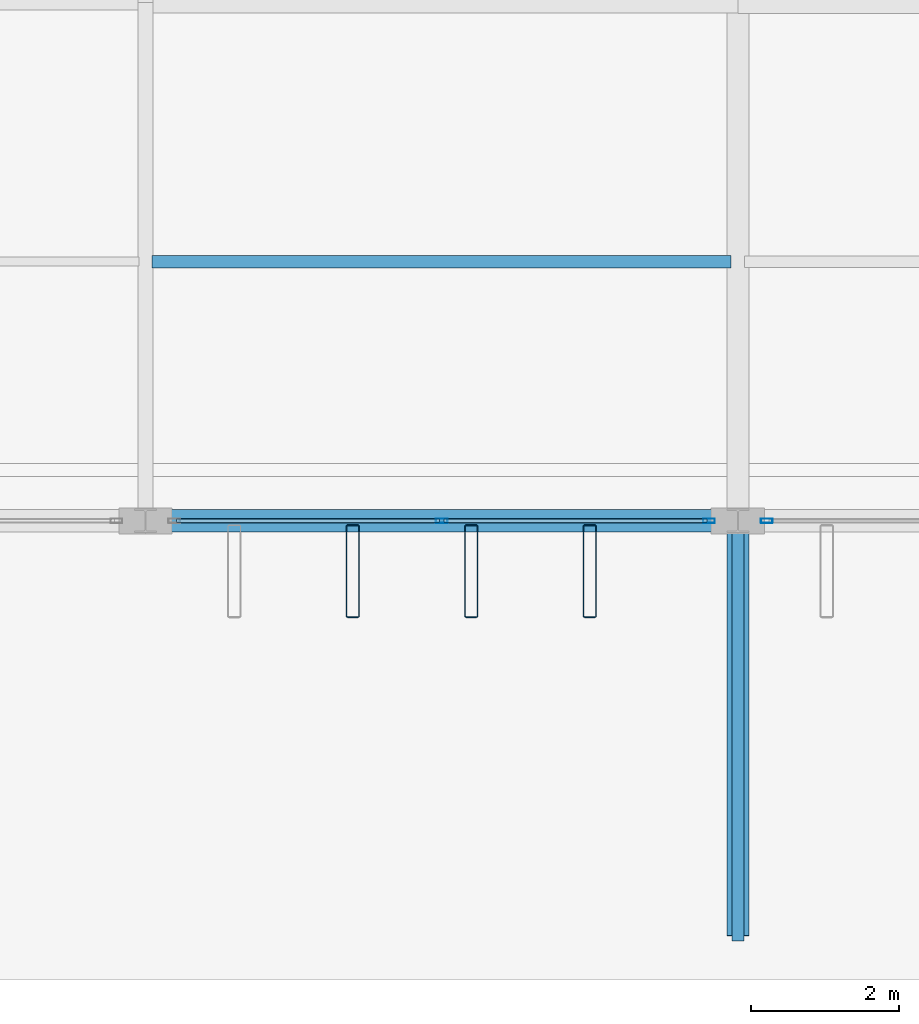
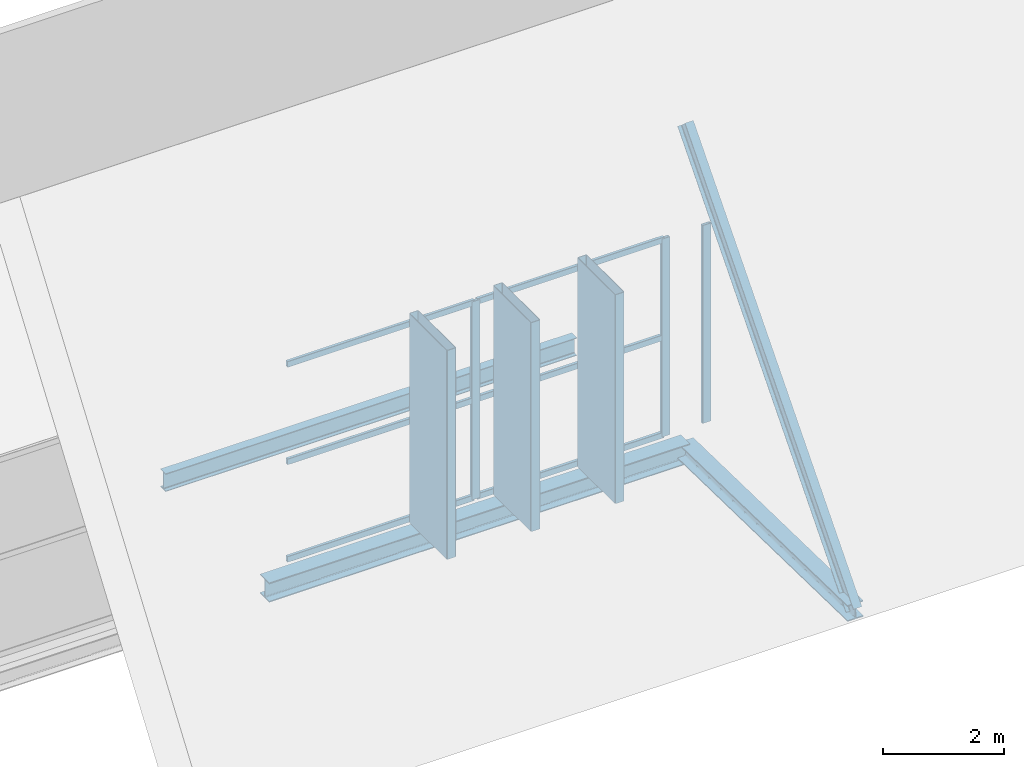
# One storey, part 33 of 93: 13 members, 3 beams, 2 elements without a shape of their own.
"""IFC4 building model written with IfcOpenShell, lengths in metres."""

from ifc_helpers import new_model, si_unit, direction, frame, origin, origin_2d, place, context, subcontext, project, spatial, hollow_rectangle, i_section, extrude, material, layer, layer_set, material_profile, profile_set, type_object, element, aggregate, save


model = new_model("IFC4")

# Units and contexts
model_context = context("Model", 3, precision=1e-05, world=origin(), true_north=direction((0.0, 1.0)))
body_context = subcontext(model_context, "Body", "Model", "MODEL_VIEW")
ifc_project = project(units=[si_unit("LENGTHUNIT", "METRE"), si_unit("AREAUNIT", "SQUARE_METRE"), si_unit("VOLUMEUNIT", "CUBIC_METRE"), si_unit("PLANEANGLEUNIT", "RADIAN"), si_unit("MASSUNIT", "GRAM", prefix="KILO")], contexts=[model_context])

# Site, building, storey
site_placement = place(None, origin())
site = spatial("IfcSite", under=ifc_project, at=site_placement, CompositionType="ELEMENT")
building_placement = place(site_placement, origin())
building = spatial("IfcBuilding", under=site, at=building_placement, Name="Vekula Escarpment Museum", CompositionType="ELEMENT")
storey_placement = place(building_placement, frame((0.0, 0.0, 22.199951171875)))
storey = spatial("IfcBuildingStorey", under=building, at=storey_placement, Name="L05", CompositionType="ELEMENT", Elevation=22.199951171875)

# Beams
ifc_material_1 = material(Name="Steel S355", Category="steel")
ifc_material_profile_1 = material_profile(ifc_material_1, i_section(OverallWidth=0.300048828125, OverallDepth=0.320068359375, WebThickness=0.011474609375, FlangeThickness=0.0205078125, FilletRadius=0.027099609375, at=origin_2d()), Name="HEB 320")
ifc_profile_set_1 = profile_set([ifc_material_profile_1], Name="Steel S355")
beam_type_1 = type_object("IfcBeamType", Name="BM-EAVE-OUT", PredefinedType="BEAM", material=ifc_profile_set_1)
beam_1_placement = place(storey_placement, frame((110.0, 45.60009765625, -0.39990234375), z_axis=(0.0, -0.999770980386, 0.021400625659), x_axis=(1.0, 0.0, 0.0)))
element("IfcBeam", 1, at=beam_1_placement, inside=storey, type_object=beam_type_1, Name="Great Hall South Eave Outrigger 110", PredefinedType="BEAM", context=body_context, shape_type="SweptSolid", body=[
    extrude(i_section(OverallWidth=0.300048828125, OverallDepth=0.320068359375, WebThickness=0.011474609375, FlangeThickness=0.0205078125, FilletRadius=0.027099609375, at=origin_2d()), origin(), (0.0, 0.0, 1.0), 5.601318359375),
])
ifc_material_2 = material(Name="Steel S355", Category="steel")
ifc_material_profile_2 = material_profile(ifc_material_2, i_section(OverallWidth=0.169921875, OverallDepth=0.360107421875, WebThickness=0.008056640625, FlangeThickness=0.0126953125, FilletRadius=0.01806640625, at=origin_2d()), Name="IPE 360")
ifc_profile_set_2 = profile_set([ifc_material_profile_2], Name="Steel S355")
beam_type_2 = type_object("IfcBeamType", Name="BM-JST-IPE360", PredefinedType="JOIST", material=ifc_profile_set_2)
beam_2_placement = place(storey_placement, frame((102.090087890625, 49.10009765625, -0.39990234375), z_axis=(1.0, 0.0, 0.0), x_axis=(0.0, 1.0, 0.0)))
element("IfcBeam", 2, at=beam_2_placement, inside=storey, type_object=beam_type_2, Name="Secondary Joist L05 1362", PredefinedType="JOIST", context=body_context, shape_type="SweptSolid", body=[
    extrude(i_section(OverallWidth=0.169921875, OverallDepth=0.360107421875, WebThickness=0.008056640625, FlangeThickness=0.0126953125, FilletRadius=0.01806640625, at=origin_2d()), origin(), (0.0, 0.0, 1.0), 7.81982421875),
])
ifc_material_3 = material(Name="Steel S355", Category="steel")
ifc_material_profile_3 = material_profile(ifc_material_3, i_section(OverallWidth=0.300048828125, OverallDepth=0.389892578125, WebThickness=0.010986328125, FlangeThickness=0.01904296875, FilletRadius=0.027099609375, at=origin_2d()), Name="HEA 400")
ifc_profile_set_3 = profile_set([ifc_material_profile_3], Name="Steel S355")
beam_type_3 = type_object("IfcBeamType", Name="BM-SPAN-HEA400", PredefinedType="SPANDREL", material=ifc_profile_set_3)
beam_3_placement = place(storey_placement, frame((102.0, 45.60009765625, -0.4150390625), z_axis=(1.0, 0.0, 0.0), x_axis=(0.0, 1.0, 0.0)))
element("IfcBeam", 3, at=beam_3_placement, inside=storey, type_object=beam_type_3, Name="Beam X L05 1960", PredefinedType="SPANDREL", context=body_context, shape_type="SweptSolid", body=[
    extrude(i_section(OverallWidth=0.300048828125, OverallDepth=0.389892578125, WebThickness=0.010986328125, FlangeThickness=0.01904296875, FilletRadius=0.027099609375, at=origin_2d()), origin(), (0.0, 0.0, 1.0), 8.0),
])

# Curtain wall, members
ifc_material_4 = material(Name="Aluminium thermally broken framing", Category="aluminium")
ifc_layer_1 = layer(ifc_material_4, 0.179931640625)
ifc_layer_set_1 = layer_set([ifc_layer_1], Name="Aluminium thermally broken framing")
curtain_wall_type_1 = type_object("IfcCurtainWallType", Name="CW-SYS-07", PredefinedType="NOTDEFINED", material=ifc_layer_set_1)
curtain_wall_1_placement = place(storey_placement, origin())
curtain_wall_1 = element("IfcCurtainWall", 4, at=curtain_wall_1_placement, inside=storey, type_object=curtain_wall_type_1, Name="Curtain Wall CW-L05-167", PredefinedType="NOTDEFINED")
ifc_material_5 = material(Name="Aluminium anodized mullion", Category="aluminium")
ifc_material_profile_4 = material_profile(ifc_material_5, hollow_rectangle(XDim=0.06005859375, YDim=0.159912109375, WallThickness=0.00390625, InnerFilletRadius=0.00390625, OuterFilletRadius=0.008056640625, at=origin_2d()), Name="ALU 160x60x4")
ifc_profile_set_4 = profile_set([ifc_material_profile_4], Name="Aluminium anodized mullion")
member_type_1 = type_object("IfcMemberType", Name="CW-MUL-160", PredefinedType="MULLION", material=ifc_profile_set_4)
member_1_placement = place(storey_placement, frame((106.0, 45.60009765625, 0.0), z_axis=(0.0, 0.0, 1.0), x_axis=(0.0, 1.0, 0.0)))
member_1 = element("IfcMember", 5, at=member_1_placement, type_object=member_type_1, Name="CW-07 mullion 2", PredefinedType="MULLION", context=body_context, shape_type="SweptSolid", body=[
    extrude(hollow_rectangle(XDim=0.06005859375, YDim=0.159912109375, WallThickness=0.00390625, InnerFilletRadius=0.00390625, OuterFilletRadius=0.008056640625, at=origin_2d()), origin(), (0.0, 0.0, 1.0), 3.97998046875),
])
member_2_placement = place(storey_placement, frame((109.610107421875, 45.60009765625, 0.0), z_axis=(0.0, 0.0, 1.0), x_axis=(0.0, 1.0, 0.0)))
member_2 = element("IfcMember", 6, at=member_2_placement, type_object=member_type_1, Name="CW-07 mullion 3", PredefinedType="MULLION", context=body_context, shape_type="SweptSolid", body=[
    extrude(hollow_rectangle(XDim=0.06005859375, YDim=0.159912109375, WallThickness=0.00390625, InnerFilletRadius=0.00390625, OuterFilletRadius=0.008056640625, at=origin_2d()), origin(), (0.0, 0.0, 1.0), 3.97998046875),
])

# Curtain wall, member
ifc_material_6 = material(Name="Aluminium thermally broken framing", Category="aluminium")
ifc_layer_2 = layer(ifc_material_6, 0.179931640625)
ifc_layer_set_2 = layer_set([ifc_layer_2], Name="Aluminium thermally broken framing")
curtain_wall_type_2 = type_object("IfcCurtainWallType", Name="CW-SYS-08", PredefinedType="NOTDEFINED", material=ifc_layer_set_2)
curtain_wall_2_placement = place(storey_placement, origin())
curtain_wall_2 = element("IfcCurtainWall", 7, at=curtain_wall_2_placement, inside=storey, type_object=curtain_wall_type_2, Name="Curtain Wall CW-L05-168", PredefinedType="NOTDEFINED")
member_3_placement = place(storey_placement, frame((110.389892578125, 45.60009765625, 0.0), z_axis=(0.0, 0.0, 1.0), x_axis=(0.0, 1.0, 0.0)))
member_3 = element("IfcMember", 8, at=member_3_placement, type_object=member_type_1, Name="CW-08 mullion 1", PredefinedType="MULLION", context=body_context, shape_type="SweptSolid", body=[
    extrude(hollow_rectangle(XDim=0.06005859375, YDim=0.159912109375, WallThickness=0.00390625, InnerFilletRadius=0.00390625, OuterFilletRadius=0.008056640625, at=origin_2d()), origin(), (0.0, 0.0, 1.0), 3.97998046875),
])
aggregate(curtain_wall_2, [member_3])

# Member
ifc_material_7 = material(Name="Aluminium anodized transom", Category="aluminium")
ifc_material_profile_5 = material_profile(ifc_material_7, hollow_rectangle(XDim=0.06005859375, YDim=0.1201171875, WallThickness=0.00390625, InnerFilletRadius=0.00390625, OuterFilletRadius=0.008056640625, at=origin_2d()), Name="ALU 120x60x4")
ifc_profile_set_5 = profile_set([ifc_material_profile_5], Name="Aluminium anodized transom")
member_type_2 = type_object("IfcMemberType", Name="CW-TRN-120", PredefinedType="USERDEFINED", material=ifc_profile_set_5)
member_4_placement = place(storey_placement, frame((102.419921875, 45.60009765625, 0.030029296875), z_axis=(1.0, 0.0, 0.0), x_axis=(0.0, 1.0, 0.0)))
member_4 = element("IfcMember", 9, at=member_4_placement, type_object=member_type_2, Name="CW-07 transom 1.1", ObjectType="TRANSOM", PredefinedType="USERDEFINED", context=body_context, shape_type="SweptSolid", body=[
    extrude(hollow_rectangle(XDim=0.06005859375, YDim=0.1201171875, WallThickness=0.00390625, InnerFilletRadius=0.00390625, OuterFilletRadius=0.008056640625, at=origin_2d()), origin(), (0.0, 0.0, 1.0), 3.550048828125),
])

member_5_placement = place(storey_placement, frame((102.419921875, 45.60009765625, 1.989990234375), z_axis=(1.0, 0.0, 0.0), x_axis=(0.0, 1.0, 0.0)))
member_5 = element("IfcMember", 10, at=member_5_placement, type_object=member_type_2, Name="CW-07 transom 1.2", ObjectType="TRANSOM", PredefinedType="USERDEFINED", context=body_context, shape_type="SweptSolid", body=[
    extrude(hollow_rectangle(XDim=0.06005859375, YDim=0.1201171875, WallThickness=0.00390625, InnerFilletRadius=0.00390625, OuterFilletRadius=0.008056640625, at=origin_2d()), origin(), (0.0, 0.0, 1.0), 3.550048828125),
])

member_6_placement = place(storey_placement, frame((102.419921875, 45.60009765625, 3.949951171875), z_axis=(1.0, 0.0, 0.0), x_axis=(0.0, 1.0, 0.0)))
member_6 = element("IfcMember", 11, at=member_6_placement, type_object=member_type_2, Name="CW-07 transom 1.3", ObjectType="TRANSOM", PredefinedType="USERDEFINED", context=body_context, shape_type="SweptSolid", body=[
    extrude(hollow_rectangle(XDim=0.06005859375, YDim=0.1201171875, WallThickness=0.00390625, InnerFilletRadius=0.00390625, OuterFilletRadius=0.008056640625, at=origin_2d()), origin(), (0.0, 0.0, 1.0), 3.550048828125),
])

member_7_placement = place(storey_placement, frame((106.030029296875, 45.60009765625, 0.030029296875), z_axis=(1.0, 0.0, 0.0), x_axis=(0.0, 1.0, 0.0)))
member_7 = element("IfcMember", 12, at=member_7_placement, type_object=member_type_2, Name="CW-07 transom 2.1", ObjectType="TRANSOM", PredefinedType="USERDEFINED", context=body_context, shape_type="SweptSolid", body=[
    extrude(hollow_rectangle(XDim=0.06005859375, YDim=0.1201171875, WallThickness=0.00390625, InnerFilletRadius=0.00390625, OuterFilletRadius=0.008056640625, at=origin_2d()), origin(), (0.0, 0.0, 1.0), 3.550048828125),
])

member_8_placement = place(storey_placement, frame((106.030029296875, 45.60009765625, 1.989990234375), z_axis=(1.0, 0.0, 0.0), x_axis=(0.0, 1.0, 0.0)))
member_8 = element("IfcMember", 13, at=member_8_placement, type_object=member_type_2, Name="CW-07 transom 2.2", ObjectType="TRANSOM", PredefinedType="USERDEFINED", context=body_context, shape_type="SweptSolid", body=[
    extrude(hollow_rectangle(XDim=0.06005859375, YDim=0.1201171875, WallThickness=0.00390625, InnerFilletRadius=0.00390625, OuterFilletRadius=0.008056640625, at=origin_2d()), origin(), (0.0, 0.0, 1.0), 3.550048828125),
])

member_9_placement = place(storey_placement, frame((106.030029296875, 45.60009765625, 3.949951171875), z_axis=(1.0, 0.0, 0.0), x_axis=(0.0, 1.0, 0.0)))
member_9 = element("IfcMember", 14, at=member_9_placement, type_object=member_type_2, Name="CW-07 transom 2.3", ObjectType="TRANSOM", PredefinedType="USERDEFINED", context=body_context, shape_type="SweptSolid", body=[
    extrude(hollow_rectangle(XDim=0.06005859375, YDim=0.1201171875, WallThickness=0.00390625, InnerFilletRadius=0.00390625, OuterFilletRadius=0.008056640625, at=origin_2d()), origin(), (0.0, 0.0, 1.0), 3.550048828125),
])

aggregate(curtain_wall_1, [member_1, member_2, member_4, member_5, member_6, member_7, member_8, member_9])

# Members
ifc_material_8 = material(Name="Steel S355", Category="steel")
ifc_material_profile_6 = material_profile(ifc_material_8, i_section(OverallWidth=0.159912109375, OverallDepth=0.330078125, WebThickness=0.007568359375, FlangeThickness=0.011474609375, FilletRadius=0.01806640625, at=origin_2d()), Name="IPE 330")
ifc_profile_set_6 = profile_set([ifc_material_profile_6], Name="Steel S355")
member_type_3 = type_object("IfcMemberType", Name="MB-SKIRT-RAFTER", PredefinedType="CHORD", material=ifc_profile_set_6)
member_10_placement = place(storey_placement, frame((110.0, 40.050048828125, -0.280029296875), z_axis=(0.0, 0.654565426105, 0.756005359073), x_axis=(-1.0, 0.0, 0.0)))
element("IfcMember", 15, at=member_10_placement, inside=storey, type_object=member_type_3, Name="Truncated-Hip Rafter South 110", PredefinedType="CHORD", context=body_context, shape_type="SweptSolid", body=[
    extrude(i_section(OverallWidth=0.159912109375, OverallDepth=0.330078125, WebThickness=0.007568359375, FlangeThickness=0.011474609375, FilletRadius=0.01806640625, at=origin_2d()), origin(), (0.0, 0.0, 1.0), 8.47900390625),
])
ifc_material_9 = material(Name="Steel S355 weathered bronze solar fin", Category="steel")
ifc_material_profile_7 = material_profile(ifc_material_9, hollow_rectangle(XDim=0.179931640625, YDim=1.25, WallThickness=0.010009765625, InnerFilletRadius=0.010009765625, OuterFilletRadius=0.02001953125, at=origin_2d()), Name="RHS 1250x180x10")
ifc_profile_set_7 = profile_set([ifc_material_profile_7], Name="Steel S355 weathered bronze solar fin")
member_type_4 = type_object("IfcMemberType", Name="MB-SOLAR-FIN", PredefinedType="USERDEFINED", material=ifc_profile_set_7)
for number, where, z_axis, x_axis, name in (
    (16, (104.800048828125, 44.919921875, 0.0), (0.0, 0.0, 1.0), (1.0, 0.0, 0.0), "Great Hall Vertical Solar Fin 0075"),
    (17, (106.39990234375, 44.919921875, 0.0), (0.0, 0.0, 1.0), (1.0, 0.0, 0.0), "Great Hall Vertical Solar Fin 0080"),
    (18, (108.0, 44.919921875, 0.0), (0.0, 0.0, 1.0), (1.0, 0.0, 0.0), "Great Hall Vertical Solar Fin 0085"),
):
    element("IfcMember", number, at=place(storey_placement, frame(where, z_axis=z_axis, x_axis=x_axis)), inside=storey, type_object=member_type_4, Name=name, ObjectType="SOLAR FIN", PredefinedType="USERDEFINED", context=body_context, shape_type="SweptSolid", body=[
        extrude(hollow_rectangle(XDim=0.179931640625, YDim=1.25, WallThickness=0.010009765625, InnerFilletRadius=0.010009765625, OuterFilletRadius=0.02001953125, at=origin_2d()), origin(), (0.0, 0.0, 1.0), 4.199951171875),
    ])

save(model, "model.ifc")
